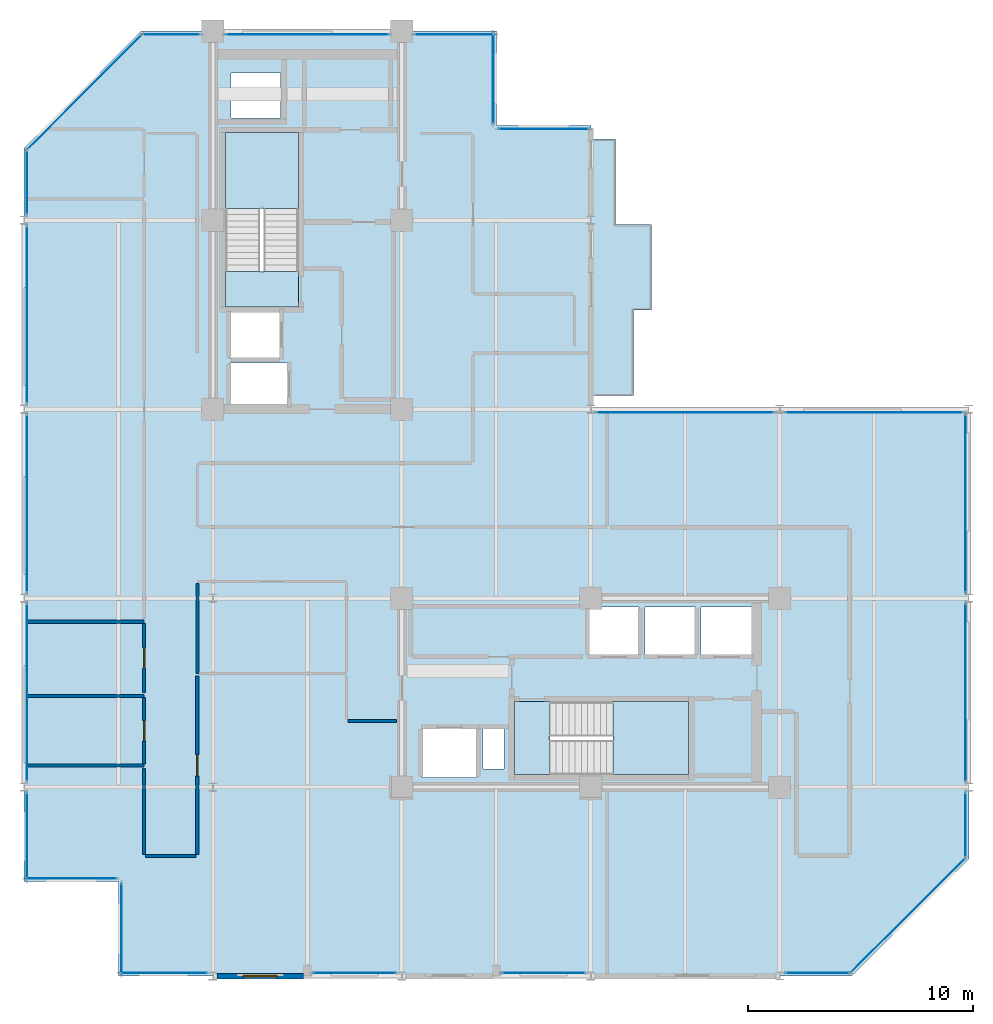
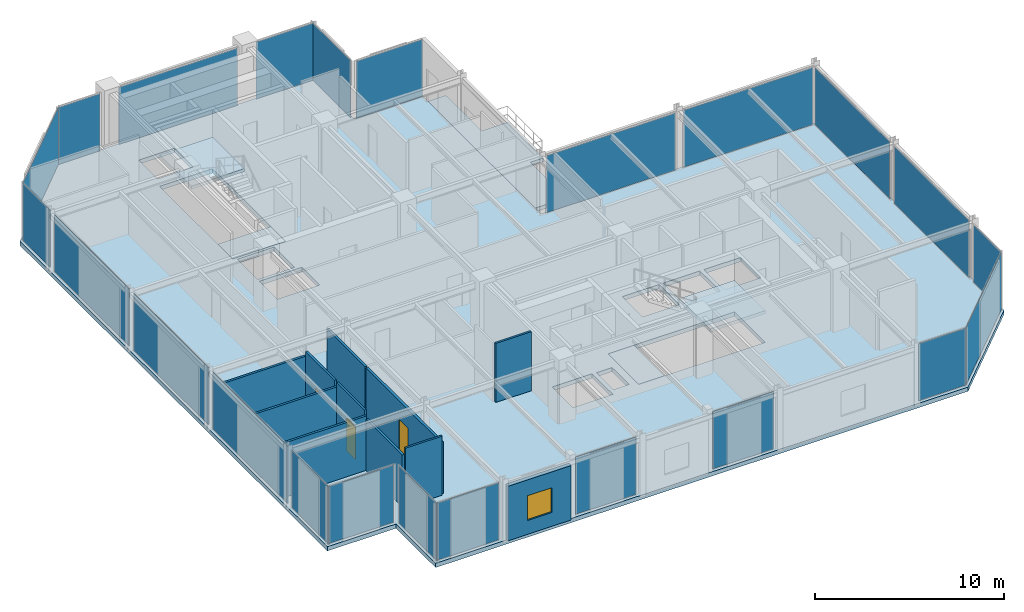
# One storey, part 19 of 25: 23 plates, 11 walls, 6 slabs, 3 doors, 1 window, 4 openings, 25 elements without a shape of their own.
"""IFC4 building model written with IfcOpenShell, lengths in metres."""

import ifcopenshell
import ifcopenshell.guid

model = None  # the IFC model being written
_history = None  # IfcOwnerHistory: only IFC2X3 demands one
_inside = {}  # id of a spatial element -> (the spatial element, [elements in it])
_under = {}  # id of a project, library or spatial element -> (it, [spatial elements below it])
_declared = {}  # id of a project -> (the project, [libraries it declares])
_typed = {}  # id of a type object -> (the type object, [elements of that type])
_made_of = {}  # id of a material, layer set ... -> (it, [elements and type objects made of it])


def new_model(schema):
    """Start an empty IFC model of exactly this schema.

    Asked for "IFC4X3", IfcOpenShell would pick the latest addendum, in which some entities
    have other attributes; the version numbers below select the first issue.
    IFC2X3 requires an IfcOwnerHistory on every rooted entity: one is made here for all.
    """
    global model, _history
    if schema == "IFC4X3":
        model = ifcopenshell.file(schema_version=(4, 3, 0, 0))
    else:
        model = ifcopenshell.file(schema=schema)
    _inside.clear()
    _under.clear()
    _declared.clear()
    _typed.clear()
    _made_of.clear()
    _history = None
    if model.schema == "IFC2X3":
        org = make("IfcOrganization", Name="unknown")
        user = make(
            "IfcPersonAndOrganization",
            ThePerson=make("IfcPerson", FamilyName="unknown"),
            TheOrganization=org,
        )
        app = make(
            "IfcApplication",
            ApplicationDeveloper=org,
            Version="unknown",
            ApplicationFullName="unknown",
            ApplicationIdentifier="unknown",
        )
        _history = make(
            "IfcOwnerHistory",
            OwningUser=user,
            OwningApplication=app,
            ChangeAction="ADDED",
            CreationDate=0,
        )
    return model


def make(cls, **values):
    """One entity of the class cls with the attributes given. An attribute that is None is left unset."""
    return model.create_entity(
        cls, **{name: value for name, value in values.items() if value is not None}
    )


def rooted(cls, **values):
    """An entity with a GlobalId (a new one), such as an element, a storey or a relation."""
    return make(cls, GlobalId=ifcopenshell.guid.new(), OwnerHistory=_history, **values)


def si_unit(unit_type, name, prefix=None):
    """IfcSIUnit, for example si_unit("LENGTHUNIT", "METRE", prefix="MILLI")."""
    return make("IfcSIUnit", UnitType=unit_type, Prefix=prefix, Name=name)


def assignment(units):
    """IfcUnitAssignment: the units of a project."""
    return None if units is None else make("IfcUnitAssignment", Units=units)


def point(xyz):
    """IfcCartesianPoint."""
    return None if xyz is None else make("IfcCartesianPoint", Coordinates=xyz)


def direction(xyz):
    """IfcDirection."""
    return None if xyz is None else make("IfcDirection", DirectionRatios=xyz)


def frame(location, z_axis=None, x_axis=None):
    """IfcAxis2Placement3D, a coordinate frame: its origin and axes. An axis left out is left unset."""
    return make(
        "IfcAxis2Placement3D",
        Location=point(location),
        Axis=direction(z_axis),
        RefDirection=direction(x_axis),
    )


def frame_2d(location, x_axis=None):
    """IfcAxis2Placement2D, a coordinate frame in the plane: its origin and x axis."""
    return make(
        "IfcAxis2Placement2D", Location=point(location), RefDirection=direction(x_axis)
    )


def origin():
    """The frame at (0, 0, 0) with its axes left unset."""
    return frame((0.0, 0.0, 0.0))


def origin_2d():
    """The frame at (0, 0) in the plane with its x axis left unset."""
    return frame_2d((0.0, 0.0))


def place(relative_to, where):
    """IfcLocalPlacement: puts the frame where relative to a parent placement (None: the world)."""
    return make(
        "IfcLocalPlacement", PlacementRelTo=relative_to, RelativePlacement=where
    )


def context(
    kind, dimensions, precision=None, world=None, true_north=None, identifier=None
):
    """IfcGeometricRepresentationContext, for example the 3D "Model" context."""
    return make(
        "IfcGeometricRepresentationContext",
        ContextIdentifier=identifier,
        ContextType=kind,
        CoordinateSpaceDimension=dimensions,
        Precision=precision,
        WorldCoordinateSystem=world,
        TrueNorth=true_north,
    )


def subcontext(parent, identifier, kind, view, scale=None):
    """IfcGeometricRepresentationSubContext, for example "Body" below "Model"."""
    return make(
        "IfcGeometricRepresentationSubContext",
        ContextIdentifier=identifier,
        ContextType=kind,
        ParentContext=parent,
        TargetScale=scale,
        TargetView=view,
    )


def project(units=None, contexts=None):
    """IfcProject with its units and contexts."""
    return rooted(
        "IfcProject",
        Name="project",
        RepresentationContexts=contexts,
        UnitsInContext=assignment(units),
    )


def spatial(cls, under=None, at=None, **own):
    """A site, building, storey or space (cls), placed at a placement, below another one or the project."""
    s = rooted(cls, ObjectPlacement=at, **own)
    if under is not None:
        _under.setdefault(under.id(), (under, []))[1].append(s)
    return s


def polyline(points):
    """IfcPolyline through the points."""
    return make("IfcPolyline", Points=[point(p) for p in points])


def profile(cls, at=None, kind="AREA", **sizes):
    """A parametric profile (cls). Its sizes go by their IFC names, for example OverallWidth=200.0."""
    return make(cls, ProfileType=kind, Position=at, **sizes)


def rectangle(**sizes):
    """IfcRectangleProfileDef."""
    return profile("IfcRectangleProfileDef", **sizes)


def outline(outer, holes=None, kind="AREA"):
    """IfcArbitraryClosedProfileDef: a profile drawn as a closed curve; with holes, ...WithVoids."""
    if holes is None:
        return make("IfcArbitraryClosedProfileDef", ProfileType=kind, OuterCurve=outer)
    return make(
        "IfcArbitraryProfileDefWithVoids",
        ProfileType=kind,
        OuterCurve=outer,
        InnerCurves=holes,
    )


def extrude(swept, where, along, depth):
    """IfcExtrudedAreaSolid: the profile swept, set in the frame where, extruded along a direction by depth."""
    return make(
        "IfcExtrudedAreaSolid",
        SweptArea=swept,
        Position=where,
        ExtrudedDirection=direction(along),
        Depth=depth,
    )


def shape(context_of_items, identifier, shape_type, items):
    """IfcShapeRepresentation: the items that make up one representation, for example the "Body"."""
    return make(
        "IfcShapeRepresentation",
        ContextOfItems=context_of_items,
        RepresentationIdentifier=identifier,
        RepresentationType=shape_type,
        Items=items,
    )


def material(Name=None, Category=None):
    """IfcMaterial."""
    return make("IfcMaterial", Name=Name, Category=Category)


def layer(
    of_material, thickness, ventilated=None, Name=None, Category=None, Priority=None
):
    """IfcMaterialLayer: one layer of a wall or slab, of a material (None: an air gap)."""
    return make(
        "IfcMaterialLayer",
        Material=of_material,
        LayerThickness=thickness,
        IsVentilated=ventilated,
        Name=Name,
        Category=Category,
        Priority=Priority,
    )


def layer_set(layers, Name=None):
    """IfcMaterialLayerSet."""
    return make("IfcMaterialLayerSet", MaterialLayers=layers, LayerSetName=Name)


def made_of(thing, what):
    """Note that an element or type object is made of a material, layer set ...; save() writes the relation."""
    if what is not None:
        _made_of.setdefault(what.id(), (what, []))[1].append(thing)
    return thing


def type_object(cls, material=None, **own):
    """A type object (cls), such as IfcWallType, which elements share."""
    return made_of(rooted(cls, **own), material)


def element(
    cls,
    number,
    at=None,
    inside=None,
    cuts=None,
    type_object=None,
    material=None,
    context=None,
    identifier="Body",
    shape_type=None,
    held_by="IfcProductDefinitionShape",
    body=None,
    shapes=None,
    **own,
):
    """One element of the class cls, such as IfcWall. Its Tag is "e" and its number.

    at: its placement. inside: the storey or other place that contains it. cuts: it is an
    opening in that element (IfcRelVoidsElement). A single representation is given by context,
    identifier, shape_type and body (its items); several are given by shapes. held_by: the class
    of the entity that holds the representations. save() writes the other relations.
    """
    e = rooted(cls, Tag="e%d" % number, ObjectPlacement=at, **own)
    if body is not None:
        shapes = [shape(context, identifier, shape_type, body)]
    if shapes is not None:
        e.Representation = make(held_by, Representations=shapes)
    if inside is not None:
        _inside.setdefault(inside.id(), (inside, []))[1].append(e)
    if cuts is not None:
        rooted(
            "IfcRelVoidsElement", RelatingBuildingElement=cuts, RelatedOpeningElement=e
        )
    if type_object is not None:
        _typed.setdefault(type_object.id(), (type_object, []))[1].append(e)
    return made_of(e, material)


def fill(opening, filler):
    """IfcRelFillsElement: the door or window that sits in an opening."""
    return rooted(
        "IfcRelFillsElement",
        RelatingOpeningElement=opening,
        RelatedBuildingElement=filler,
    )


def aggregate(whole, parts):
    """IfcRelAggregates: a whole, such as a stair, and the parts it consists of."""
    return rooted("IfcRelAggregates", RelatingObject=whole, RelatedObjects=parts)


def save(model, path):
    """Write the relations noted so far, then the file.

    IfcRelAggregates (storeys below a building ...), IfcRelContainedInSpatialStructure (elements
    in a storey), IfcRelDefinesByType, IfcRelAssociatesMaterial and IfcRelDeclares: one each for
    every whole, place, type object, material and project.
    """
    for whole, parts in _under.values():
        aggregate(whole, parts)
    for where, things in _inside.values():
        rooted(
            "IfcRelContainedInSpatialStructure",
            RelatedElements=things,
            RelatingStructure=where,
        )
    for kind, things in _typed.values():
        rooted("IfcRelDefinesByType", RelatedObjects=things, RelatingType=kind)
    for what, things in _made_of.values():
        rooted("IfcRelAssociatesMaterial", RelatedObjects=things, RelatingMaterial=what)
    for by, libraries in _declared.values():
        rooted("IfcRelDeclares", RelatingContext=by, RelatedDefinitions=libraries)
    model.write(path)


model = new_model("IFC4")

# Units and contexts
model_context = context("Model", 3, precision=1e-05, world=origin(), true_north=direction((0.0, 1.0)))
body_context = subcontext(model_context, "Body", "Model", "MODEL_VIEW")
ifc_project = project(units=[si_unit("LENGTHUNIT", "METRE"), si_unit("AREAUNIT", "SQUARE_METRE"), si_unit("VOLUMEUNIT", "CUBIC_METRE"), si_unit("PLANEANGLEUNIT", "RADIAN"), si_unit("MASSUNIT", "GRAM", prefix="KILO")], contexts=[model_context])

# Site, building, storey
site_placement = place(None, origin())
site = spatial("IfcSite", under=ifc_project, at=site_placement, CompositionType="ELEMENT")
building_placement = place(site_placement, origin())
building = spatial("IfcBuilding", under=site, at=building_placement, Name="Nerrivon Quay Data Exchange", CompositionType="ELEMENT")
storey_placement = place(building_placement, frame((0.0, 0.0, 237.0)))
storey = spatial("IfcBuildingStorey", under=building, at=storey_placement, Name="L56", CompositionType="ELEMENT", Elevation=237.0)

# Curtain wall, plate
ifc_material_1 = material(Name="Anodised aluminium 6063-T6", Category="aluminium")
ifc_layer_1 = layer(ifc_material_1, 0.195068359375)
ifc_layer_set_1 = layer_set([ifc_layer_1], Name="Anodised aluminium 6063-T6")
curtain_wall_type = type_object("IfcCurtainWallType", Name="CW-SYS-06", PredefinedType="NOTDEFINED", material=ifc_layer_set_1)
curtain_wall_1_placement = place(storey_placement, origin())
curtain_wall_1 = element("IfcCurtainWall", 1, at=curtain_wall_1_placement, inside=storey, type_object=curtain_wall_type, Name="L56 Unitised Curtain Wall 1", PredefinedType="NOTDEFINED")
ifc_material_2 = material(Name="Double-glazed low-E solar control glass", Category="glass")
ifc_layer_2 = layer(ifc_material_2, 0.028076171875)
ifc_layer_set_2 = layer_set([ifc_layer_2], Name="Double-glazed low-E solar control glass")
plate_type = type_object("IfcPlateType", Name="CWP-GLZ-28", PredefinedType="CURTAIN_PANEL", material=ifc_layer_set_2)
plate_1_placement = place(storey_placement, frame((39.301025390625, 2.698974609375, 0.06494140625), z_axis=(0.0, 0.0, 1.0), x_axis=(-0.707106781187, -0.707106781187, 0.0)))
plate_1 = element("IfcPlate", 2, at=plate_1_placement, type_object=plate_type, Name="CW06 panel 1.1", PredefinedType="CURTAIN_PANEL", context=body_context, shape_type="SweptSolid", body=[
    extrude(rectangle(XDim=7.203857421875, YDim=0.028076171875, at=origin_2d()), origin(), (0.0, 0.0, 1.0), 3.695068359375),
])
aggregate(curtain_wall_1, [plate_1])

curtain_wall_2_placement = place(storey_placement, origin())
curtain_wall_2 = element("IfcCurtainWall", 3, at=curtain_wall_2_placement, inside=storey, type_object=curtain_wall_type, Name="L56 Unitised Curtain Wall 2", PredefinedType="NOTDEFINED")
plate_2_placement = place(storey_placement, frame((35.28759765625, 0.139892578125, 0.06494140625), z_axis=(0.0, 0.0, 1.0), x_axis=(-1.0, 0.0, 0.0)))
plate_2 = element("IfcPlate", 4, at=plate_2_placement, type_object=plate_type, Name="CW06 panel 1.1", PredefinedType="CURTAIN_PANEL", context=body_context, shape_type="SweptSolid", body=[
    extrude(rectangle(XDim=2.875, YDim=0.028076171875, at=origin_2d()), origin(), (0.0, 0.0, 1.0), 3.695068359375),
])
aggregate(curtain_wall_2, [plate_2])

curtain_wall_3_placement = place(storey_placement, origin())
curtain_wall_3 = element("IfcCurtainWall", 5, at=curtain_wall_3_placement, inside=storey, type_object=curtain_wall_type, Name="L56 Unitised Curtain Wall 4", PredefinedType="NOTDEFINED")
plate_3_placement = place(storey_placement, frame((23.10009765625, 0.139892578125, 0.06494140625), z_axis=(0.0, 0.0, 1.0), x_axis=(-1.0, 0.0, 0.0)))
plate_3 = element("IfcPlate", 6, at=plate_3_placement, type_object=plate_type, Name="CW06 panel 1.1", PredefinedType="CURTAIN_PANEL", context=body_context, shape_type="SweptSolid", body=[
    extrude(rectangle(XDim=3.699951171875, YDim=0.028076171875, at=origin_2d()), origin(), (0.0, 0.0, 1.0), 3.695068359375),
])
aggregate(curtain_wall_3, [plate_3])

curtain_wall_4_placement = place(storey_placement, origin())
curtain_wall_4 = element("IfcCurtainWall", 7, at=curtain_wall_4_placement, inside=storey, type_object=curtain_wall_type, Name="L56 Unitised Curtain Wall 6", PredefinedType="NOTDEFINED")
plate_4_placement = place(storey_placement, frame((14.699951171875, 0.139892578125, 0.06494140625), z_axis=(0.0, 0.0, 1.0), x_axis=(-1.0, 0.0, 0.0)))
plate_4 = element("IfcPlate", 8, at=plate_4_placement, type_object=plate_type, Name="CW06 panel 1.1", PredefinedType="CURTAIN_PANEL", context=body_context, shape_type="SweptSolid", body=[
    extrude(rectangle(XDim=3.699951171875, YDim=0.028076171875, at=origin_2d()), origin(), (0.0, 0.0, 1.0), 3.695068359375),
])
aggregate(curtain_wall_4, [plate_4])

curtain_wall_5_placement = place(storey_placement, origin())
curtain_wall_5 = element("IfcCurtainWall", 9, at=curtain_wall_5_placement, inside=storey, type_object=curtain_wall_type, Name="L56 Unitised Curtain Wall 8", PredefinedType="NOTDEFINED")
plate_5_placement = place(storey_placement, frame((6.21240234375, 0.139892578125, 0.06494140625), z_axis=(0.0, 0.0, 1.0), x_axis=(-1.0, 0.0, 0.0)))
plate_5 = element("IfcPlate", 10, at=plate_5_placement, type_object=plate_type, Name="CW06 panel 1.1", PredefinedType="CURTAIN_PANEL", context=body_context, shape_type="SweptSolid", body=[
    extrude(rectangle(XDim=3.875, YDim=0.028076171875, at=origin_2d()), origin(), (0.0, 0.0, 1.0), 3.695068359375),
])
aggregate(curtain_wall_5, [plate_5])

curtain_wall_6_placement = place(storey_placement, origin())
curtain_wall_6 = element("IfcCurtainWall", 11, at=curtain_wall_6_placement, inside=storey, type_object=curtain_wall_type, Name="L56 Unitised Curtain Wall 9", PredefinedType="NOTDEFINED")
plate_6_placement = place(storey_placement, frame((4.340087890625, 2.10009765625, 0.06494140625), z_axis=(0.0, 0.0, 1.0), x_axis=(0.0, 1.0, 0.0)))
plate_6 = element("IfcPlate", 12, at=plate_6_placement, type_object=plate_type, Name="CW06 panel 1.1", PredefinedType="CURTAIN_PANEL", context=body_context, shape_type="SweptSolid", body=[
    extrude(rectangle(XDim=4.050048828125, YDim=0.028076171875, at=origin_2d()), origin(), (0.0, 0.0, 1.0), 3.695068359375),
])
aggregate(curtain_wall_6, [plate_6])

curtain_wall_7_placement = place(storey_placement, origin())
curtain_wall_7 = element("IfcCurtainWall", 13, at=curtain_wall_7_placement, inside=storey, type_object=curtain_wall_type, Name="L56 Unitised Curtain Wall 10", PredefinedType="NOTDEFINED")
plate_7_placement = place(storey_placement, frame((2.10009765625, 4.340087890625, 0.06494140625), z_axis=(0.0, 0.0, 1.0), x_axis=(-1.0, 0.0, 0.0)))
plate_7 = element("IfcPlate", 14, at=plate_7_placement, type_object=plate_type, Name="CW06 panel 1.1", PredefinedType="CURTAIN_PANEL", context=body_context, shape_type="SweptSolid", body=[
    extrude(rectangle(XDim=4.050048828125, YDim=0.028076171875, at=origin_2d()), origin(), (0.0, 0.0, 1.0), 3.695068359375),
])
aggregate(curtain_wall_7, [plate_7])

curtain_wall_8_placement = place(storey_placement, origin())
curtain_wall_8 = element("IfcCurtainWall", 15, at=curtain_wall_8_placement, inside=storey, type_object=curtain_wall_type, Name="L56 Unitised Curtain Wall 11", PredefinedType="NOTDEFINED")
plate_8_placement = place(storey_placement, frame((0.139892578125, 6.21240234375, 0.06494140625), z_axis=(0.0, 0.0, 1.0), x_axis=(0.0, 1.0, 0.0)))
plate_8 = element("IfcPlate", 16, at=plate_8_placement, type_object=plate_type, Name="CW06 panel 1.1", PredefinedType="CURTAIN_PANEL", context=body_context, shape_type="SweptSolid", body=[
    extrude(rectangle(XDim=3.875, YDim=0.028076171875, at=origin_2d()), origin(), (0.0, 0.0, 1.0), 3.695068359375),
])
aggregate(curtain_wall_8, [plate_8])

curtain_wall_9_placement = place(storey_placement, origin())
curtain_wall_9 = element("IfcCurtainWall", 17, at=curtain_wall_9_placement, inside=storey, type_object=curtain_wall_type, Name="L56 Unitised Curtain Wall 12", PredefinedType="NOTDEFINED")
plate_9_placement = place(storey_placement, frame((0.139892578125, 12.60009765625, 0.06494140625), z_axis=(0.0, 0.0, 1.0), x_axis=(0.0, 1.0, 0.0)))
plate_9 = element("IfcPlate", 18, at=plate_9_placement, type_object=plate_type, Name="CW06 panel 1.1", PredefinedType="CURTAIN_PANEL", context=body_context, shape_type="SweptSolid", body=[
    extrude(rectangle(XDim=7.89990234375, YDim=0.028076171875, at=origin_2d()), origin(), (0.0, 0.0, 1.0), 3.695068359375),
])
aggregate(curtain_wall_9, [plate_9])

curtain_wall_10_placement = place(storey_placement, origin())
curtain_wall_10 = element("IfcCurtainWall", 19, at=curtain_wall_10_placement, inside=storey, type_object=curtain_wall_type, Name="L56 Unitised Curtain Wall 13", PredefinedType="NOTDEFINED")
plate_10_placement = place(storey_placement, frame((0.139892578125, 21.0, 0.06494140625), z_axis=(0.0, 0.0, 1.0), x_axis=(0.0, 1.0, 0.0)))
plate_10 = element("IfcPlate", 20, at=plate_10_placement, type_object=plate_type, Name="CW06 panel 1.1", PredefinedType="CURTAIN_PANEL", context=body_context, shape_type="SweptSolid", body=[
    extrude(rectangle(XDim=7.89990234375, YDim=0.028076171875, at=origin_2d()), origin(), (0.0, 0.0, 1.0), 3.695068359375),
])
aggregate(curtain_wall_10, [plate_10])

curtain_wall_11_placement = place(storey_placement, origin())
curtain_wall_11 = element("IfcCurtainWall", 21, at=curtain_wall_11_placement, inside=storey, type_object=curtain_wall_type, Name="L56 Unitised Curtain Wall 14", PredefinedType="NOTDEFINED")
plate_11_placement = place(storey_placement, frame((0.139892578125, 29.39990234375, 0.06494140625), z_axis=(0.0, 0.0, 1.0), x_axis=(0.0, 1.0, 0.0)))
plate_11 = element("IfcPlate", 22, at=plate_11_placement, type_object=plate_type, Name="CW06 panel 1.1", PredefinedType="CURTAIN_PANEL", context=body_context, shape_type="SweptSolid", body=[
    extrude(rectangle(XDim=7.89990234375, YDim=0.028076171875, at=origin_2d()), origin(), (0.0, 0.0, 1.0), 3.695068359375),
])
aggregate(curtain_wall_11, [plate_11])

curtain_wall_12_placement = place(storey_placement, origin())
curtain_wall_12 = element("IfcCurtainWall", 23, at=curtain_wall_12_placement, inside=storey, type_object=curtain_wall_type, Name="L56 Unitised Curtain Wall 15", PredefinedType="NOTDEFINED")
plate_12_placement = place(storey_placement, frame((0.139892578125, 35.28759765625, 0.06494140625), z_axis=(0.0, 0.0, 1.0), x_axis=(0.0, 1.0, 0.0)))
plate_12 = element("IfcPlate", 24, at=plate_12_placement, type_object=plate_type, Name="CW06 panel 1.1", PredefinedType="CURTAIN_PANEL", context=body_context, shape_type="SweptSolid", body=[
    extrude(rectangle(XDim=2.875, YDim=0.028076171875, at=origin_2d()), origin(), (0.0, 0.0, 1.0), 3.695068359375),
])
aggregate(curtain_wall_12, [plate_12])

curtain_wall_13_placement = place(storey_placement, origin())
curtain_wall_13 = element("IfcCurtainWall", 25, at=curtain_wall_13_placement, inside=storey, type_object=curtain_wall_type, Name="L56 Unitised Curtain Wall 16", PredefinedType="NOTDEFINED")
plate_13_placement = place(storey_placement, frame((2.698974609375, 39.301025390625, 0.06494140625), z_axis=(0.0, 0.0, 1.0), x_axis=(0.707106781187, 0.707106781187, 0.0)))
plate_13 = element("IfcPlate", 26, at=plate_13_placement, type_object=plate_type, Name="CW06 panel 1.1", PredefinedType="CURTAIN_PANEL", context=body_context, shape_type="SweptSolid", body=[
    extrude(rectangle(XDim=7.203857421875, YDim=0.028076171875, at=origin_2d()), origin(), (0.0, 0.0, 1.0), 3.695068359375),
])
aggregate(curtain_wall_13, [plate_13])

curtain_wall_14_placement = place(storey_placement, origin())
curtain_wall_14 = element("IfcCurtainWall", 27, at=curtain_wall_14_placement, inside=storey, type_object=curtain_wall_type, Name="L56 Unitised Curtain Wall 17", PredefinedType="NOTDEFINED")
plate_14_placement = place(storey_placement, frame((6.550048828125, 41.860107421875, 0.06494140625), z_axis=(0.0, 0.0, 1.0), x_axis=(1.0, 0.0, 0.0)))
plate_14 = element("IfcPlate", 28, at=plate_14_placement, type_object=plate_type, Name="CW06 panel 1.1", PredefinedType="CURTAIN_PANEL", context=body_context, shape_type="SweptSolid", body=[
    extrude(rectangle(XDim=2.550048828125, YDim=0.028076171875, at=origin_2d()), origin(), (0.0, 0.0, 1.0), 3.695068359375),
])
aggregate(curtain_wall_14, [plate_14])

curtain_wall_15_placement = place(storey_placement, origin())
curtain_wall_15 = element("IfcCurtainWall", 29, at=curtain_wall_15_placement, inside=storey, type_object=curtain_wall_type, Name="L56 Unitised Curtain Wall 18", PredefinedType="NOTDEFINED")
plate_15_placement = place(storey_placement, frame((12.60009765625, 41.860107421875, 0.06494140625), z_axis=(0.0, 0.0, 1.0), x_axis=(1.0, 0.0, 0.0)))
plate_15 = element("IfcPlate", 30, at=plate_15_placement, type_object=plate_type, Name="CW06 panel 1.1", PredefinedType="CURTAIN_PANEL", context=body_context, shape_type="SweptSolid", body=[
    extrude(rectangle(XDim=7.25, YDim=0.028076171875, at=origin_2d()), origin(), (0.0, 0.0, 1.0), 3.695068359375),
])
aggregate(curtain_wall_15, [plate_15])

curtain_wall_16_placement = place(storey_placement, origin())
curtain_wall_16 = element("IfcCurtainWall", 31, at=curtain_wall_16_placement, inside=storey, type_object=curtain_wall_type, Name="L56 Unitised Curtain Wall 19", PredefinedType="NOTDEFINED")
plate_16_placement = place(storey_placement, frame((19.14990234375, 41.860107421875, 0.06494140625), z_axis=(0.0, 0.0, 1.0), x_axis=(1.0, 0.0, 0.0)))
plate_16 = element("IfcPlate", 32, at=plate_16_placement, type_object=plate_type, Name="CW06 panel 1.1", PredefinedType="CURTAIN_PANEL", context=body_context, shape_type="SweptSolid", body=[
    extrude(rectangle(XDim=3.550048828125, YDim=0.028076171875, at=origin_2d()), origin(), (0.0, 0.0, 1.0), 3.695068359375),
])
aggregate(curtain_wall_16, [plate_16])

curtain_wall_17_placement = place(storey_placement, origin())
curtain_wall_17 = element("IfcCurtainWall", 33, at=curtain_wall_17_placement, inside=storey, type_object=curtain_wall_type, Name="L56 Unitised Curtain Wall 20", PredefinedType="NOTDEFINED")
plate_17_placement = place(storey_placement, frame((20.860107421875, 39.89990234375, 0.06494140625), z_axis=(0.0, 0.0, 1.0), x_axis=(0.0, -1.0, 0.0)))
plate_17 = element("IfcPlate", 34, at=plate_17_placement, type_object=plate_type, Name="CW06 panel 1.1", PredefinedType="CURTAIN_PANEL", context=body_context, shape_type="SweptSolid", body=[
    extrude(rectangle(XDim=4.050048828125, YDim=0.028076171875, at=origin_2d()), origin(), (0.0, 0.0, 1.0), 3.695068359375),
])
aggregate(curtain_wall_17, [plate_17])

curtain_wall_18_placement = place(storey_placement, origin())
curtain_wall_18 = element("IfcCurtainWall", 35, at=curtain_wall_18_placement, inside=storey, type_object=curtain_wall_type, Name="L56 Unitised Curtain Wall 21", PredefinedType="NOTDEFINED")
plate_18_placement = place(storey_placement, frame((23.10009765625, 37.659912109375, 0.06494140625), z_axis=(0.0, 0.0, 1.0), x_axis=(1.0, 0.0, 0.0)))
plate_18 = element("IfcPlate", 36, at=plate_18_placement, type_object=plate_type, Name="CW06 panel 1.1", PredefinedType="CURTAIN_PANEL", context=body_context, shape_type="SweptSolid", body=[
    extrude(rectangle(XDim=4.050048828125, YDim=0.028076171875, at=origin_2d()), origin(), (0.0, 0.0, 1.0), 3.695068359375),
])
aggregate(curtain_wall_18, [plate_18])

curtain_wall_19_placement = place(storey_placement, origin())
curtain_wall_19 = element("IfcCurtainWall", 37, at=curtain_wall_19_placement, inside=storey, type_object=curtain_wall_type, Name="L56 Unitised Curtain Wall 24", PredefinedType="NOTDEFINED")
plate_19_placement = place(storey_placement, frame((29.39990234375, 25.06005859375, 0.06494140625), z_axis=(0.0, 0.0, 1.0), x_axis=(1.0, 0.0, 0.0)))
plate_19 = element("IfcPlate", 38, at=plate_19_placement, type_object=plate_type, Name="CW06 panel 1.1", PredefinedType="CURTAIN_PANEL", context=body_context, shape_type="SweptSolid", body=[
    extrude(rectangle(XDim=7.89990234375, YDim=0.028076171875, at=origin_2d()), origin(), (0.0, 0.0, 1.0), 3.695068359375),
])
aggregate(curtain_wall_19, [plate_19])

curtain_wall_20_placement = place(storey_placement, origin())
curtain_wall_20 = element("IfcCurtainWall", 39, at=curtain_wall_20_placement, inside=storey, type_object=curtain_wall_type, Name="L56 Unitised Curtain Wall 25", PredefinedType="NOTDEFINED")
plate_20_placement = place(storey_placement, frame((37.800048828125, 25.06005859375, 0.06494140625), z_axis=(0.0, 0.0, 1.0), x_axis=(1.0, 0.0, 0.0)))
plate_20 = element("IfcPlate", 40, at=plate_20_placement, type_object=plate_type, Name="CW06 panel 1.1", PredefinedType="CURTAIN_PANEL", context=body_context, shape_type="SweptSolid", body=[
    extrude(rectangle(XDim=7.89990234375, YDim=0.028076171875, at=origin_2d()), origin(), (0.0, 0.0, 1.0), 3.695068359375),
])
aggregate(curtain_wall_20, [plate_20])

curtain_wall_21_placement = place(storey_placement, origin())
curtain_wall_21 = element("IfcCurtainWall", 41, at=curtain_wall_21_placement, inside=storey, type_object=curtain_wall_type, Name="L56 Unitised Curtain Wall 26", PredefinedType="NOTDEFINED")
plate_21_placement = place(storey_placement, frame((41.860107421875, 21.0, 0.06494140625), z_axis=(0.0, 0.0, 1.0), x_axis=(0.0, -1.0, 0.0)))
plate_21 = element("IfcPlate", 42, at=plate_21_placement, type_object=plate_type, Name="CW06 panel 1.1", PredefinedType="CURTAIN_PANEL", context=body_context, shape_type="SweptSolid", body=[
    extrude(rectangle(XDim=7.89990234375, YDim=0.028076171875, at=origin_2d()), origin(), (0.0, 0.0, 1.0), 3.695068359375),
])
aggregate(curtain_wall_21, [plate_21])

curtain_wall_22_placement = place(storey_placement, origin())
curtain_wall_22 = element("IfcCurtainWall", 43, at=curtain_wall_22_placement, inside=storey, type_object=curtain_wall_type, Name="L56 Unitised Curtain Wall 27", PredefinedType="NOTDEFINED")
plate_22_placement = place(storey_placement, frame((41.860107421875, 12.60009765625, 0.06494140625), z_axis=(0.0, 0.0, 1.0), x_axis=(0.0, -1.0, 0.0)))
plate_22 = element("IfcPlate", 44, at=plate_22_placement, type_object=plate_type, Name="CW06 panel 1.1", PredefinedType="CURTAIN_PANEL", context=body_context, shape_type="SweptSolid", body=[
    extrude(rectangle(XDim=7.89990234375, YDim=0.028076171875, at=origin_2d()), origin(), (0.0, 0.0, 1.0), 3.695068359375),
])
aggregate(curtain_wall_22, [plate_22])

curtain_wall_23_placement = place(storey_placement, origin())
curtain_wall_23 = element("IfcCurtainWall", 45, at=curtain_wall_23_placement, inside=storey, type_object=curtain_wall_type, Name="L56 Unitised Curtain Wall 28", PredefinedType="NOTDEFINED")
plate_23_placement = place(storey_placement, frame((41.860107421875, 6.71240234375, 0.06494140625), z_axis=(0.0, 0.0, 1.0), x_axis=(0.0, -1.0, 0.0)))
plate_23 = element("IfcPlate", 46, at=plate_23_placement, type_object=plate_type, Name="CW06 panel 1.1", PredefinedType="CURTAIN_PANEL", context=body_context, shape_type="SweptSolid", body=[
    extrude(rectangle(XDim=2.875, YDim=0.028076171875, at=origin_2d()), origin(), (0.0, 0.0, 1.0), 3.695068359375),
])
aggregate(curtain_wall_23, [plate_23])

# Slab
ifc_material_3 = material(Name="Precast white architectural concrete N50 (50 MPa)", Category="concrete")
ifc_layer_3 = layer(ifc_material_3, 0.25)
ifc_layer_set_3 = layer_set([ifc_layer_3], Name="Precast white architectural concrete N50 (50 MPa)")
slab_type_1 = type_object("IfcSlabType", Name="SLB-BAL-250", PredefinedType="FLOOR", material=ifc_layer_set_3)
slab_1_placement = place(storey_placement, frame((0.0, 0.0, -0.25)))
element("IfcSlab", 47, at=slab_1_placement, inside=storey, type_object=slab_type_1, Name="L56 Waterfront Subtropical Verandah", PredefinedType="FLOOR", context=body_context, shape_type="SweptSolid", body=[
    extrude(outline(polyline([(27.10009765625, 29.60009765625), (27.89990234375, 29.60009765625), (27.89990234375, 33.39990234375), (26.300048828125, 33.39990234375), (26.300048828125, 37.199951171875), (25.199951171875, 37.199951171875), (25.199951171875, 33.39990234375), (25.199951171875, 29.60009765625), (25.199951171875, 25.800048828125), (27.10009765625, 25.800048828125), (27.10009765625, 29.60009765625)])), origin(), (0.0, 0.0, 1.0), 0.25),
])

# Stair, slab
ifc_material_4 = material(Name="Concrete N50 (50 MPa)", Category="concrete")
stair_type = type_object("IfcStairType", Name="STAIR-DOG-41", PredefinedType="HALF_TURN_STAIR", material=ifc_material_4)
stair_1_placement = place(storey_placement, origin())
stair_1 = element("IfcStair", 48, at=stair_1_placement, inside=storey, type_object=stair_type, Name="L56 West Core Fire Stair ST01", PredefinedType="HALF_TURN_STAIR")
ifc_layer_4 = layer(ifc_material_4, 0.199951171875)
ifc_layer_set_4 = layer_set([ifc_layer_4], Name="Concrete N50 (50 MPa)")
slab_type_2 = type_object("IfcSlabType", Name="SLB-LAND-200", PredefinedType="LANDING", material=ifc_layer_set_4)
slab_2_placement = place(storey_placement, frame((0.0, 0.0, 1.85009765625)))
slab_2 = element("IfcSlab", 49, at=slab_2_placement, type_object=slab_type_2, Name="ST01 landing 1", PredefinedType="LANDING", context=body_context, shape_type="SweptSolid", body=[
    extrude(outline(polyline([(12.199951171875, 34.1298828125), (12.199951171875, 37.5), (8.949951171875, 37.5), (8.949951171875, 34.1298828125), (12.199951171875, 34.1298828125)])), origin(), (0.0, 0.0, 1.0), 0.199951171875),
])
aggregate(stair_1, [slab_2])

# Slab
slab_3_placement = place(storey_placement, frame((0.0, 0.0, -0.199951171875)))
element("IfcSlab", 50, at=slab_3_placement, inside=storey, type_object=slab_type_2, Name="L56 ST01 floor landing", PredefinedType="LANDING", context=body_context, shape_type="SweptSolid", body=[
    extrude(outline(polyline([(12.199951171875, 29.75), (12.199951171875, 31.330078125), (8.949951171875, 31.330078125), (8.949951171875, 29.75), (12.199951171875, 29.75)])), origin(), (0.0, 0.0, 1.0), 0.199951171875),
])

# Stair, slab
stair_2_placement = place(storey_placement, origin())
stair_2 = element("IfcStair", 51, at=stair_2_placement, inside=storey, type_object=stair_type, Name="L56 East Core Fire Stair ST02", PredefinedType="HALF_TURN_STAIR")
slab_4_placement = place(storey_placement, frame((0.0, 0.0, 1.85009765625)))
slab_4 = element("IfcSlab", 52, at=slab_4_placement, type_object=slab_type_2, Name="ST02 landing 1", PredefinedType="LANDING", context=body_context, shape_type="SweptSolid", body=[
    extrude(outline(polyline([(26.179931640625, 8.949951171875), (29.550048828125, 8.949951171875), (29.550048828125, 12.199951171875), (26.179931640625, 12.199951171875), (26.179931640625, 8.949951171875)])), origin(), (0.0, 0.0, 1.0), 0.199951171875),
])
aggregate(stair_2, [slab_4])

# Slabs
slab_5_placement = place(storey_placement, frame((0.0, 0.0, -0.199951171875)))
element("IfcSlab", 53, at=slab_5_placement, inside=storey, type_object=slab_type_2, Name="L56 ST02 floor landing", PredefinedType="LANDING", context=body_context, shape_type="SweptSolid", body=[
    extrude(outline(polyline([(21.800048828125, 8.949951171875), (23.3798828125, 8.949951171875), (23.3798828125, 12.199951171875), (21.800048828125, 12.199951171875), (21.800048828125, 8.949951171875)])), origin(), (0.0, 0.0, 1.0), 0.199951171875),
])
ifc_layer_5 = layer(ifc_material_4, 0.27490234375)
ifc_layer_set_5 = layer_set([ifc_layer_5], Name="Concrete N50 (50 MPa)")
slab_type_3 = type_object("IfcSlabType", Name="SLB-TOW-275", PredefinedType="FLOOR", material=ifc_layer_set_5)
slab_6_placement = place(storey_placement, frame((0.0, 0.0, -0.27490234375)))
element("IfcSlab", 54, at=slab_6_placement, inside=storey, type_object=slab_type_3, Name="L56 Primary Structural Slab", PredefinedType="FLOOR", context=body_context, shape_type="SweptSolid", body=[
    extrude(outline(polyline([(42.0, 25.199951171875), (25.199951171875, 25.199951171875), (25.199951171875, 37.800048828125), (21.0, 37.800048828125), (21.0, 42.0), (5.199951171875, 42.0), (0.0, 36.800048828125), (0.0, 4.199951171875), (4.199951171875, 4.199951171875), (4.199951171875, 0.0), (36.800048828125, 0.0), (42.0, 5.199951171875), (42.0, 25.199951171875)]), holes=[polyline([(8.949951171875, 29.75), (8.949951171875, 37.5), (12.199951171875, 37.5), (12.199951171875, 29.75), (8.949951171875, 29.75)]), polyline([(21.800048828125, 12.199951171875), (29.550048828125, 12.199951171875), (29.550048828125, 8.949951171875), (21.800048828125, 8.949951171875), (21.800048828125, 12.199951171875)]), polyline([(30.10009765625, 14.25), (30.10009765625, 16.39990234375), (32.35009765625, 16.39990234375), (32.35009765625, 14.25), (30.10009765625, 14.25)]), polyline([(27.60009765625, 14.25), (27.60009765625, 16.39990234375), (29.85009765625, 16.39990234375), (29.85009765625, 14.25), (27.60009765625, 14.25)]), polyline([(25.10009765625, 14.25), (25.10009765625, 16.39990234375), (27.35009765625, 16.39990234375), (27.35009765625, 14.25), (25.10009765625, 14.25)]), polyline([(20.39990234375, 9.199951171875), (20.39990234375, 11.0), (21.35009765625, 11.0), (21.35009765625, 9.199951171875), (20.39990234375, 9.199951171875)]), polyline([(17.699951171875, 8.830078125), (17.699951171875, 11.030029296875), (20.14990234375, 11.030029296875), (20.14990234375, 8.830078125), (17.699951171875, 8.830078125)]), polyline([(9.14990234375, 25.35009765625), (9.14990234375, 27.25), (11.75, 27.25), (11.75, 25.35009765625), (9.14990234375, 25.35009765625)]), polyline([(9.14990234375, 27.449951171875), (9.14990234375, 29.60009765625), (11.39990234375, 29.60009765625), (11.39990234375, 27.449951171875), (9.14990234375, 27.449951171875)]), polyline([(9.199951171875, 38.14990234375), (9.199951171875, 40.14990234375), (11.39990234375, 40.14990234375), (11.39990234375, 38.14990234375), (9.199951171875, 38.14990234375)])]), origin(), (0.0, 0.0, 1.0), 0.27490234375),
])

# Wall, opening, window
ifc_material_5 = material(Name="Architectural terracotta precast concrete N50 (50 MPa)", Category="masonry")
ifc_layer_6 = layer(ifc_material_5, 0.239990234375)
ifc_layer_set_6 = layer_set([ifc_layer_6], Name="Architectural terracotta precast concrete N50 (50 MPa)")
wall_type_1 = type_object("IfcWallType", Name="EW-PREC-240", PredefinedType="STANDARD", material=ifc_layer_set_6)
wall_1_placement = place(storey_placement, frame((12.425048828125, 0.0, 0.0), z_axis=(0.0, 0.0, 1.0), x_axis=(-1.0, 0.0, 0.0)))
wall_1 = element("IfcWall", 55, at=wall_1_placement, inside=storey, type_object=wall_type_1, Name="L56 Podium Precast Spandrel Wall 7", PredefinedType="STANDARD", context=body_context, shape_type="SweptSolid", body=[
    extrude(rectangle(XDim=3.85009765625, YDim=0.239990234375, at=frame_2d((1.925048828125, 0.0))), origin(), (0.0, 0.0, 1.0), 3.52490234375),
])
opening_1_placement = place(wall_1_placement, frame((1.175048828125, 0.0, 0.89990234375)))
opening_1 = element("IfcOpeningElement", 56, at=opening_1_placement, cuts=wall_1, Name="Opening WN4", PredefinedType="OPENING", context=body_context, shape_type="SweptSolid", body=[
    extrude(rectangle(XDim=1.5, YDim=1.60009765625, at=frame_2d((0.75, 0.800048828125))), frame((0.0, 0.1298828125, 0.0), z_axis=(0.0, -1.0, 0.0), x_axis=(1.0, 0.0, 0.0)), (0.0, 0.0, 1.0), 0.260009765625),
])
window_type = type_object("IfcWindowType", Name="WIN-W4-1500x1600", PartitioningType="SINGLE_PANEL", PredefinedType="WINDOW", material=ifc_material_2)
window_placement = place(opening_1_placement, origin())
window = element("IfcWindow", 57, at=window_placement, inside=storey, type_object=window_type, Name="L56 Solar Facade Window 7", OverallHeight=1.60009765625, OverallWidth=1.5, PartitioningType="SINGLE_PANEL", PredefinedType="WINDOW", context=body_context, shape_type="SweptSolid", body=[
    extrude(rectangle(XDim=1.5, YDim=1.60009765625, at=frame_2d((0.75, 0.800048828125))), frame((0.0, 0.030029296875, 0.0), z_axis=(0.0, -1.0, 0.0), x_axis=(1.0, 0.0, 0.0)), (0.0, 0.0, 1.0), 0.06005859375),
])
fill(opening_1, window)

# Wall, opening, door
ifc_material_6 = material(Name="Gypsum plasterboard on cold-formed framing", Category="gypsum")
ifc_layer_7 = layer(ifc_material_6, 0.1201171875)
ifc_layer_set_7 = layer_set([ifc_layer_7], Name="Gypsum plasterboard on cold-formed framing")
wall_type_2 = type_object("IfcWallType", Name="WALL-PT-120", PredefinedType="PARTITIONING", material=ifc_layer_set_7)
wall_2_placement = place(storey_placement, frame((5.340087890625, 9.42138671875, 0.0), z_axis=(0.0, 0.0, 1.0), x_axis=(0.0, 1.0, 0.0)))
wall_2 = element("IfcWall", 58, at=wall_2_placement, inside=storey, type_object=wall_type_2, Name="L56 Partition Accessible Toilet", PredefinedType="PARTITIONING", context=body_context, shape_type="SweptSolid", body=[
    extrude(rectangle(XDim=2.95703125, YDim=0.1201171875, at=frame_2d((1.478515625, 0.0))), origin(), (0.0, 0.0, 1.0), 3.824951171875),
])
opening_2_placement = place(wall_2_placement, frame((1.0185546875, 0.0, 0.0)))
opening_2 = element("IfcOpeningElement", 59, at=opening_2_placement, cuts=wall_2, Name="Opening D-WC", PredefinedType="OPENING", context=body_context, shape_type="SweptSolid", body=[
    extrude(rectangle(XDim=0.919921875, YDim=2.10009765625, at=frame_2d((0.4599609375, 1.050048828125))), frame((0.0, 0.070068359375, 0.0), z_axis=(0.0, -1.0, 0.0), x_axis=(1.0, 0.0, 0.0)), (0.0, 0.0, 1.0), 0.14013671875),
])
ifc_material_7 = material(Name="Engineered hardwood timber", Category="wood")
door_type_1 = type_object("IfcDoorType", Name="DR-WC-920", OperationType="NOTDEFINED", PredefinedType="DOOR", material=ifc_material_7)
door_1_placement = place(opening_2_placement, origin())
door_1 = element("IfcDoor", 60, at=door_1_placement, inside=storey, type_object=door_type_1, Name="L56 Door Accessible Toilet", OperationType="SINGLE_SWING_RIGHT", OverallHeight=2.10009765625, OverallWidth=0.919921875, PredefinedType="DOOR", context=body_context, shape_type="SweptSolid", body=[
    extrude(rectangle(XDim=0.919921875, YDim=2.10009765625, at=frame_2d((0.4599609375, 1.050048828125))), frame((0.0, 0.02490234375, 0.0), z_axis=(0.0, -1.0, 0.0), x_axis=(1.0, 0.0, 0.0)), (0.0, 0.0, 1.0), 0.050048828125),
])
fill(opening_2, door_1)

wall_3_placement = place(storey_placement, frame((5.340087890625, 12.60009765625, 0.0), z_axis=(0.0, 0.0, 1.0), x_axis=(0.0, 1.0, 0.0)))
wall_3 = element("IfcWall", 61, at=wall_3_placement, inside=storey, type_object=wall_type_2, Name="L56 Partition Public Washrooms", PredefinedType="PARTITIONING", context=body_context, shape_type="SweptSolid", body=[
    extrude(rectangle(XDim=3.078369140625, YDim=0.1201171875, at=frame_2d((1.5390625, 0.0))), origin(), (0.0, 0.0, 1.0), 3.824951171875),
])
opening_3_placement = place(wall_3_placement, frame((1.079345703125, 0.0, 0.0)))
opening_3 = element("IfcOpeningElement", 62, at=opening_3_placement, cuts=wall_3, Name="Opening D-WC", PredefinedType="OPENING", context=body_context, shape_type="SweptSolid", body=[
    extrude(rectangle(XDim=0.919921875, YDim=2.10009765625, at=frame_2d((0.4599609375, 1.050048828125))), frame((0.0, 0.070068359375, 0.0), z_axis=(0.0, -1.0, 0.0), x_axis=(1.0, 0.0, 0.0)), (0.0, 0.0, 1.0), 0.14013671875),
])
door_2_placement = place(opening_3_placement, origin())
door_2 = element("IfcDoor", 63, at=door_2_placement, inside=storey, type_object=door_type_1, Name="L56 Door Public Washrooms", OperationType="SINGLE_SWING_LEFT", OverallHeight=2.10009765625, OverallWidth=0.919921875, PredefinedType="DOOR", context=body_context, shape_type="SweptSolid", body=[
    extrude(rectangle(XDim=0.919921875, YDim=2.10009765625, at=frame_2d((0.4599609375, 1.050048828125))), frame((0.0, 0.02490234375, 0.0), z_axis=(0.0, -1.0, 0.0), x_axis=(1.0, 0.0, 0.0)), (0.0, 0.0, 1.0), 0.050048828125),
])
fill(opening_3, door_2)

# Walls
wall_4_placement = place(storey_placement, frame((16.571044921875, 11.340087890625, 0.0), z_axis=(0.0, 0.0, 1.0), x_axis=(-1.0, 0.0, 0.0)))
element("IfcWall", 64, at=wall_4_placement, inside=storey, type_object=wall_type_2, Name="L56 Partition Technical Library", PredefinedType="PARTITIONING", context=body_context, shape_type="SweptSolid", body=[
    extrude(rectangle(XDim=2.171142578125, YDim=0.1201171875, at=frame_2d((1.08544921875, 0.0))), origin(), (0.0, 0.0, 1.0), 3.824951171875),
])
wall_5_placement = place(storey_placement, frame((7.64990234375, 5.340087890625, 0.0), z_axis=(0.0, 0.0, 1.0), x_axis=(-1.0, 0.0, 0.0)))
element("IfcWall", 65, at=wall_5_placement, inside=storey, type_object=wall_type_2, Name="L56 Partition Technical Library", PredefinedType="PARTITIONING", context=body_context, shape_type="SweptSolid", body=[
    extrude(rectangle(XDim=2.25, YDim=0.1201171875, at=frame_2d((1.125, 0.0))), origin(), (0.0, 0.0, 1.0), 3.824951171875),
])
ifc_layer_8 = layer(ifc_material_6, 0.135009765625)
ifc_layer_set_8 = layer_set([ifc_layer_8], Name="Gypsum plasterboard on cold-formed framing")
wall_type_3 = type_object("IfcWallType", Name="WALL-PT-135", PredefinedType="PARTITIONING", material=ifc_layer_set_8)
for number, where, z_axis, x_axis, name in (
    (66, (5.340087890625, 12.449951171875, 0.0), (0.0, 0.0, 1.0), (-1.0, 0.0, 0.0), "L56 Partition Accessible Toilet"),
    (67, (0.1689453125, 9.35009765625, 0.0), (0.0, 0.0, 1.0), (1.0, 0.0, 0.0), "L56 Partition Accessible Toilet"),
    (68, (5.340087890625, 15.75, 0.0), (0.0, 0.0, 1.0), (-1.0, 0.0, 0.0), "L56 Partition Public Washrooms"),
):
    element("IfcWall", number, at=place(storey_placement, frame(where, z_axis=z_axis, x_axis=x_axis)), inside=storey, type_object=wall_type_3, Name=name, PredefinedType="PARTITIONING", context=body_context, shape_type="SweptSolid", body=[
        extrude(rectangle(XDim=5.171142578125, YDim=0.135009765625, at=frame_2d((2.58544921875, 0.0))), origin(), (0.0, 0.0, 1.0), 3.51806640625),
    ])
wall_6_placement = place(storey_placement, frame((7.7099609375, 17.4609375, 0.0), z_axis=(0.0, 0.0, 1.0), x_axis=(0.0, -1.0, 0.0)))
element("IfcWall", 69, at=wall_6_placement, inside=storey, type_object=wall_type_3, Name="L56 Partition Public Washrooms", PredefinedType="PARTITIONING", context=body_context, shape_type="SweptSolid", body=[
    extrude(rectangle(XDim=4.009033203125, YDim=0.135009765625, at=frame_2d((2.00439453125, 0.0))), origin(), (0.0, 0.0, 1.0), 3.364990234375),
])
wall_7_placement = place(storey_placement, frame((5.340087890625, 5.39990234375, 0.0), z_axis=(0.0, 0.0, 1.0), x_axis=(0.0, 1.0, 0.0)))
element("IfcWall", 70, at=wall_7_placement, inside=storey, type_object=wall_type_3, Name="L56 Partition Technical Library", PredefinedType="PARTITIONING", context=body_context, shape_type="SweptSolid", body=[
    extrude(rectangle(XDim=3.830078125, YDim=0.135009765625, at=frame_2d((1.9150390625, 0.0))), origin(), (0.0, 0.0, 1.0), 3.364990234375),
])

# Wall, opening, door
ifc_layer_9 = layer(ifc_material_6, 0.14990234375)
ifc_layer_set_9 = layer_set([ifc_layer_9], Name="Gypsum plasterboard on cold-formed framing")
wall_type_4 = type_object("IfcWallType", Name="WALL-PT-150", PredefinedType="PARTITIONING", material=ifc_layer_set_9)
wall_8_placement = place(storey_placement, frame((7.7099609375, 13.33203125, 0.0), z_axis=(0.0, 0.0, 1.0), x_axis=(0.0, -1.0, 0.0)))
wall_8 = element("IfcWall", 71, at=wall_8_placement, inside=storey, type_object=wall_type_4, Name="L56 Partition Technical Library", PredefinedType="PARTITIONING", context=body_context, shape_type="SweptSolid", body=[
    extrude(rectangle(XDim=7.93212890625, YDim=0.14990234375, at=frame_2d((3.966064453125, 0.0))), origin(), (0.0, 0.0, 1.0), 3.364990234375),
])
opening_4_placement = place(wall_8_placement, frame((3.490966796875, 0.0, 0.0)))
opening_4 = element("IfcOpeningElement", 72, at=opening_4_placement, cuts=wall_8, Name="Opening D-01", PredefinedType="OPENING", context=body_context, shape_type="SweptSolid", body=[
    extrude(rectangle(XDim=0.949951171875, YDim=2.14990234375, at=frame_2d((0.47509765625, 1.074951171875))), frame((0.0, 0.0849609375, 0.0), z_axis=(0.0, -1.0, 0.0), x_axis=(1.0, 0.0, 0.0)), (0.0, 0.0, 1.0), 0.169921875),
])
door_type_2 = type_object("IfcDoorType", Name="DR-INT-950", OperationType="NOTDEFINED", PredefinedType="DOOR", material=ifc_material_7)
door_3_placement = place(opening_4_placement, origin())
door_3 = element("IfcDoor", 73, at=door_3_placement, inside=storey, type_object=door_type_2, Name="L56 Door Technical Library", OperationType="SINGLE_SWING_LEFT", OverallHeight=2.14990234375, OverallWidth=0.949951171875, PredefinedType="DOOR", context=body_context, shape_type="SweptSolid", body=[
    extrude(rectangle(XDim=0.949951171875, YDim=2.14990234375, at=frame_2d((0.47509765625, 1.074951171875))), frame((0.0, 0.02490234375, 0.0), z_axis=(0.0, -1.0, 0.0), x_axis=(1.0, 0.0, 0.0)), (0.0, 0.0, 1.0), 0.050048828125),
])
fill(opening_4, door_3)

save(model, "model.ifc")
